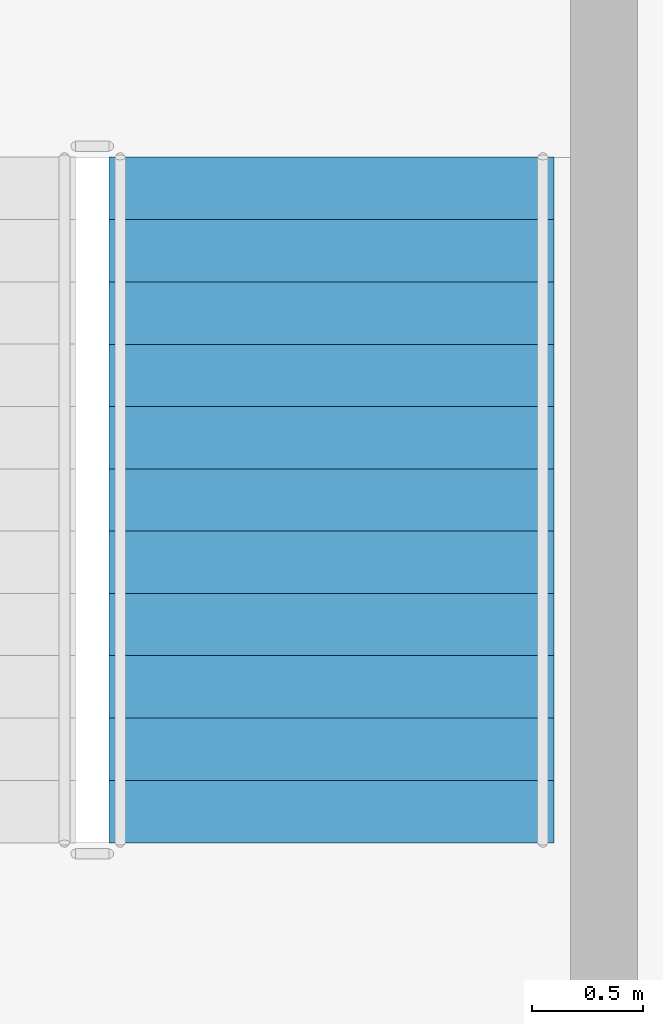
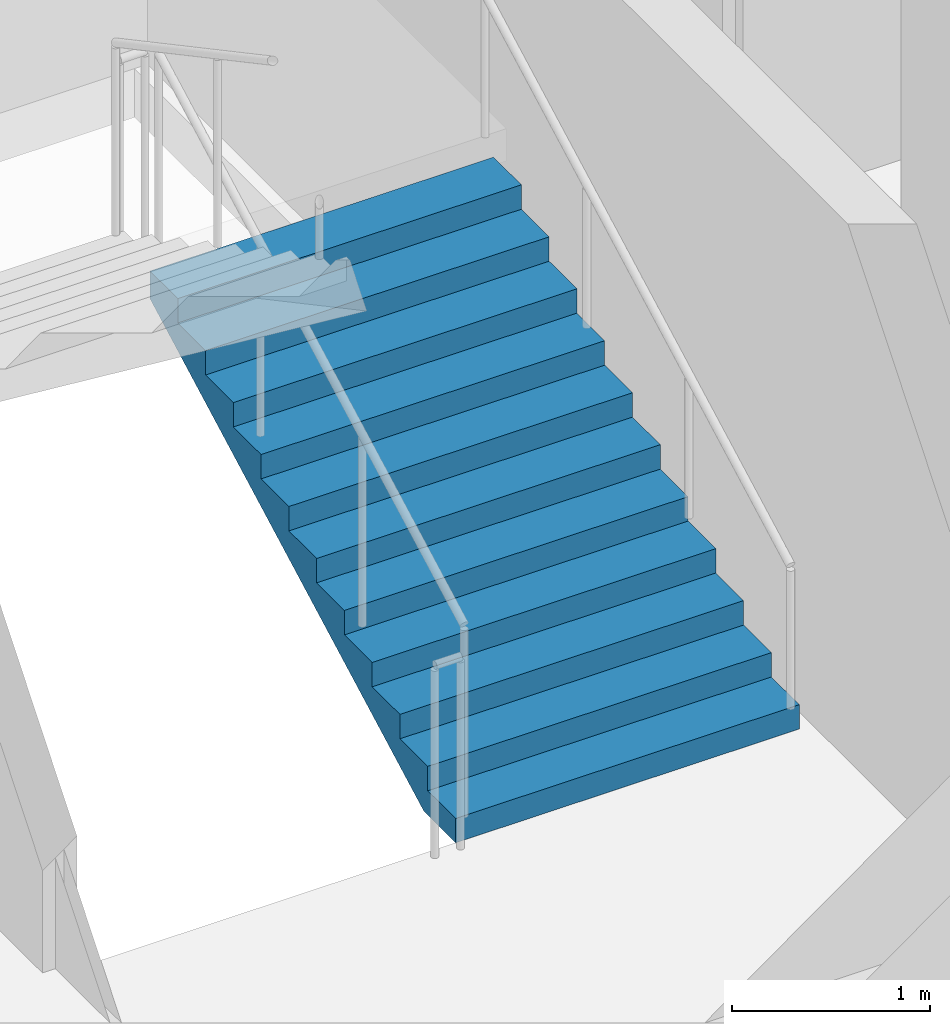
# One storey, part 12 of 19: 1 stair flight, 1 element without a shape of its own.
"""IFC4 building model written with IfcOpenShell, lengths in metres."""

from ifc_helpers import new_model, si_unit, direction, frame, origin, place, context, subcontext, project, spatial, polygons, material, type_object, element, aggregate, save


model = new_model("IFC4")

# Units and contexts
model_context = context("Model", 3, precision=1e-05, world=origin(), true_north=direction((0.0, 1.0)))
body_context = subcontext(model_context, "Body", "Model", "MODEL_VIEW")
ifc_project = project(units=[si_unit("LENGTHUNIT", "METRE"), si_unit("AREAUNIT", "SQUARE_METRE"), si_unit("VOLUMEUNIT", "CUBIC_METRE"), si_unit("PLANEANGLEUNIT", "RADIAN"), si_unit("MASSUNIT", "GRAM", prefix="KILO")], contexts=[model_context])

# Site, building, storey
site_placement = place(None, origin())
site = spatial("IfcSite", under=ifc_project, at=site_placement, CompositionType="ELEMENT")
building_placement = place(site_placement, origin())
building = spatial("IfcBuilding", under=site, at=building_placement, Name="Caravel Reach Hotel and Residences", CompositionType="ELEMENT")
storey_placement = place(building_placement, frame((0.0, 0.0, 63.60009765625)))
storey = spatial("IfcBuildingStorey", under=building, at=storey_placement, Name="L14", CompositionType="ELEMENT", Elevation=63.60009765625)

# Stair, stair flight
ifc_material_1 = material(Name="Concrete C40", Category="concrete")
stair_type = type_object("IfcStairType", Name="Core stair", PredefinedType="HALF_TURN_STAIR", material=ifc_material_1)
stair_placement = place(storey_placement, origin())
stair = element("IfcStair", 1, at=stair_placement, inside=storey, type_object=stair_type, Name="L14 Exit stair B", PredefinedType="HALF_TURN_STAIR")
ifc_material_2 = material(Name="Concrete C40", Category="concrete")
stair_flight_type = type_object("IfcStairFlightType", Name="Core stair flight", PredefinedType="STRAIGHT", material=ifc_material_2)
stair_flight_placement = place(storey_placement, frame((43.77490234375, 24.64990234375, 0.0), z_axis=(0.0, 0.0, 1.0), x_axis=(0.0, 1.0, 0.0)))
stair_flight = element("IfcStairFlight", 2, at=stair_flight_placement, type_object=stair_flight_type, Name="ST-B flight 1", NumberOfRisers=12, NumberOfTreads=11, PredefinedType="STRAIGHT", RiserHeight=0.15, TreadLength=0.28, context=body_context, shape_type="Tessellation", body=[
    polygons([(0.3174408016601862, 1.0, 0.0), (0.3174408016601862, 0.6666666666666667, 0.0), (0.3174408016601862, 0.33333333333333337, 0.0), (0.3174408016601862, 0.0, 0.0), (0.3174408016601862, -0.33333333333333326, 0.0), (0.3174408016601862, -0.6666666666666667, 0.0), (0.3174408016601862, -1.0, 0.0), (3.081, 1.0, 1.479942427682043), (3.081, 0.6666666666666667, 1.479942427682043), (3.081, 0.33333333333333337, 1.479942427682043), (3.081, 0.0, 1.479942427682043), (3.081, -0.33333333333333326, 1.479942427682043), (3.081, -0.6666666666666667, 1.479942427682043), (3.081, -1.0, 1.479942427682043), (3.081, 1.0, 1.65), (3.081, 0.6666666666666667, 1.65), (3.081, 0.33333333333333337, 1.65), (3.081, 0.0, 1.65), (3.081, -0.33333333333333326, 1.65), (3.081, -0.6666666666666667, 1.65), (3.081, -1.0, 1.65), (2.8000000000000003, 1.0, 1.65), (2.8000000000000003, 0.6666666666666667, 1.65), (2.8000000000000003, 0.33333333333333337, 1.65), (2.8000000000000003, 0.0, 1.65), (2.8000000000000003, -0.33333333333333326, 1.65), (2.8000000000000003, -0.6666666666666667, 1.65), (2.8000000000000003, -1.0, 1.65), (2.8000000000000003, 1.0, 1.5), (2.8000000000000003, 0.6666666666666667, 1.5), (2.8000000000000003, 0.33333333333333337, 1.5), (2.8000000000000003, 0.0, 1.5), (2.8000000000000003, -0.33333333333333326, 1.5), (2.8000000000000003, -0.6666666666666667, 1.5), (2.8000000000000003, -1.0, 1.5), (2.5200000000000005, 1.0, 1.5), (2.5200000000000005, 0.6666666666666667, 1.5), (2.5200000000000005, 0.33333333333333337, 1.5), (2.5200000000000005, 0.0, 1.5), (2.5200000000000005, -0.33333333333333326, 1.5), (2.5200000000000005, -0.6666666666666667, 1.5), (2.5200000000000005, -1.0, 1.5), (2.5200000000000005, 1.0, 1.3499999999999999), (2.5200000000000005, 0.6666666666666667, 1.3499999999999999), (2.5200000000000005, 0.33333333333333337, 1.3499999999999999), (2.5200000000000005, 0.0, 1.3499999999999999), (2.5200000000000005, -0.33333333333333326, 1.3499999999999999), (2.5200000000000005, -0.6666666666666667, 1.3499999999999999), (2.5200000000000005, -1.0, 1.3499999999999999), (2.24, 1.0, 1.3499999999999999), (2.24, 0.6666666666666667, 1.3499999999999999), (2.24, 0.33333333333333337, 1.3499999999999999), (2.24, 0.0, 1.3499999999999999), (2.24, -0.33333333333333326, 1.3499999999999999), (2.24, -0.6666666666666667, 1.3499999999999999), (2.24, -1.0, 1.3499999999999999), (2.24, 1.0, 1.2), (2.24, 0.6666666666666667, 1.2), (2.24, 0.33333333333333337, 1.2), (2.24, 0.0, 1.2), (2.24, -0.33333333333333326, 1.2), (2.24, -0.6666666666666667, 1.2), (2.24, -1.0, 1.2), (1.9600000000000002, 1.0, 1.2), (1.9600000000000002, 0.6666666666666667, 1.2), (1.9600000000000002, 0.33333333333333337, 1.2), (1.9600000000000002, 0.0, 1.2), (1.9600000000000002, -0.33333333333333326, 1.2), (1.9600000000000002, -0.6666666666666667, 1.2), (1.9600000000000002, -1.0, 1.2), (1.9600000000000002, 1.0, 1.05), (1.9600000000000002, 0.6666666666666667, 1.05), (1.9600000000000002, 0.33333333333333337, 1.05), (1.9600000000000002, 0.0, 1.05), (1.9600000000000002, -0.33333333333333326, 1.05), (1.9600000000000002, -0.6666666666666667, 1.05), (1.9600000000000002, -1.0, 1.05), (1.6800000000000002, 1.0, 1.05), (1.6800000000000002, 0.6666666666666667, 1.05), (1.6800000000000002, 0.33333333333333337, 1.05), (1.6800000000000002, 0.0, 1.05), (1.6800000000000002, -0.33333333333333326, 1.05), (1.6800000000000002, -0.6666666666666667, 1.05), (1.6800000000000002, -1.0, 1.05), (1.6800000000000002, 1.0, 0.8999999999999999), (1.6800000000000002, 0.6666666666666667, 0.8999999999999999), (1.6800000000000002, 0.33333333333333337, 0.8999999999999999), (1.6800000000000002, 0.0, 0.8999999999999999), (1.6800000000000002, -0.33333333333333326, 0.8999999999999999), (1.6800000000000002, -0.6666666666666667, 0.8999999999999999), (1.6800000000000002, -1.0, 0.8999999999999999), (1.4000000000000001, 1.0, 0.8999999999999999), (1.4000000000000001, 0.6666666666666667, 0.8999999999999999), (1.4000000000000001, 0.33333333333333337, 0.8999999999999999), (1.4000000000000001, 0.0, 0.8999999999999999), (1.4000000000000001, -0.33333333333333326, 0.8999999999999999), (1.4000000000000001, -0.6666666666666667, 0.8999999999999999), (1.4000000000000001, -1.0, 0.8999999999999999), (1.4000000000000001, 1.0, 0.75), (1.4000000000000001, 0.6666666666666667, 0.75), (1.4000000000000001, 0.33333333333333337, 0.75), (1.4000000000000001, 0.0, 0.75), (1.4000000000000001, -0.33333333333333326, 0.75), (1.4000000000000001, -0.6666666666666667, 0.75), (1.4000000000000001, -1.0, 0.75), (1.12, 1.0, 0.75), (1.12, 0.6666666666666667, 0.75), (1.12, 0.33333333333333337, 0.75), (1.12, 0.0, 0.75), (1.12, -0.33333333333333326, 0.75), (1.12, -0.6666666666666667, 0.75), (1.12, -1.0, 0.75), (1.12, 1.0, 0.6), (1.12, 0.6666666666666667, 0.6), (1.12, 0.33333333333333337, 0.6), (1.12, 0.0, 0.6), (1.12, -0.33333333333333326, 0.6), (1.12, -0.6666666666666667, 0.6), (1.12, -1.0, 0.6), (0.8400000000000001, 1.0, 0.6), (0.8400000000000001, 0.6666666666666667, 0.6), (0.8400000000000001, 0.33333333333333337, 0.6), (0.8400000000000001, 0.0, 0.6), (0.8400000000000001, -0.33333333333333326, 0.6), (0.8400000000000001, -0.6666666666666667, 0.6), (0.8400000000000001, -1.0, 0.6), (0.8400000000000001, 1.0, 0.44999999999999996), (0.8400000000000001, 0.6666666666666667, 0.44999999999999996), (0.8400000000000001, 0.33333333333333337, 0.44999999999999996), (0.8400000000000001, 0.0, 0.44999999999999996), (0.8400000000000001, -0.33333333333333326, 0.44999999999999996), (0.8400000000000001, -0.6666666666666667, 0.44999999999999996), (0.8400000000000001, -1.0, 0.44999999999999996), (0.56, 1.0, 0.44999999999999996), (0.56, 0.6666666666666667, 0.44999999999999996), (0.56, 0.33333333333333337, 0.44999999999999996), (0.56, 0.0, 0.44999999999999996), (0.56, -0.33333333333333326, 0.44999999999999996), (0.56, -0.6666666666666667, 0.44999999999999996), (0.56, -1.0, 0.44999999999999996), (0.56, 1.0, 0.3), (0.56, 0.6666666666666667, 0.3), (0.56, 0.33333333333333337, 0.3), (0.56, 0.0, 0.3), (0.56, -0.33333333333333326, 0.3), (0.56, -0.6666666666666667, 0.3), (0.56, -1.0, 0.3), (0.28, 1.0, 0.3), (0.28, 0.6666666666666667, 0.3), (0.28, 0.33333333333333337, 0.3), (0.28, 0.0, 0.3), (0.28, -0.33333333333333326, 0.3), (0.28, -0.6666666666666667, 0.3), (0.28, -1.0, 0.3), (0.28, 1.0, 0.15), (0.28, 0.6666666666666667, 0.15), (0.28, 0.33333333333333337, 0.15), (0.28, 0.0, 0.15), (0.28, -0.33333333333333326, 0.15), (0.28, -0.6666666666666667, 0.15), (0.28, -1.0, 0.15), (-0.001, 1.0, 0.15), (-0.001, 0.6666666666666667, 0.15), (-0.001, 0.33333333333333337, 0.15), (-0.001, 0.0, 0.15), (-0.001, -0.33333333333333326, 0.15), (-0.001, -0.6666666666666667, 0.15), (-0.001, -1.0, 0.15), (-0.001, 1.0, 0.0), (-0.001, 0.6666666666666667, 0.0), (-0.001, 0.33333333333333337, 0.0), (-0.001, 0.0, 0.0), (-0.001, -0.33333333333333326, 0.0), (-0.001, -0.6666666666666667, 0.0), (-0.001, -1.0, 0.0)], [[[169, 162, 155, 148, 141, 134, 127, 120, 113, 106, 99, 92, 85, 78, 71, 64, 57, 50, 43, 36, 29, 22, 15, 8, 1]], [[7, 14, 21, 28, 35, 42, 49, 56, 63, 70, 77, 84, 91, 98, 105, 112, 119, 126, 133, 140, 147, 154, 161, 168, 175]], [[1, 8, 9, 2]], [[2, 9, 10, 3]], [[3, 10, 11, 4]], [[4, 11, 12, 5]], [[5, 12, 13, 6]], [[6, 13, 14, 7]], [[8, 15, 16, 9]], [[9, 16, 17, 10]], [[10, 17, 18, 11]], [[11, 18, 19, 12]], [[12, 19, 20, 13]], [[13, 20, 21, 14]], [[15, 22, 23, 16]], [[16, 23, 24, 17]], [[17, 24, 25, 18]], [[18, 25, 26, 19]], [[19, 26, 27, 20]], [[20, 27, 28, 21]], [[22, 29, 30, 23]], [[23, 30, 31, 24]], [[24, 31, 32, 25]], [[25, 32, 33, 26]], [[26, 33, 34, 27]], [[27, 34, 35, 28]], [[29, 36, 37, 30]], [[30, 37, 38, 31]], [[31, 38, 39, 32]], [[32, 39, 40, 33]], [[33, 40, 41, 34]], [[34, 41, 42, 35]], [[36, 43, 44, 37]], [[37, 44, 45, 38]], [[38, 45, 46, 39]], [[39, 46, 47, 40]], [[40, 47, 48, 41]], [[41, 48, 49, 42]], [[43, 50, 51, 44]], [[44, 51, 52, 45]], [[45, 52, 53, 46]], [[46, 53, 54, 47]], [[47, 54, 55, 48]], [[48, 55, 56, 49]], [[50, 57, 58, 51]], [[51, 58, 59, 52]], [[52, 59, 60, 53]], [[53, 60, 61, 54]], [[54, 61, 62, 55]], [[55, 62, 63, 56]], [[57, 64, 65, 58]], [[58, 65, 66, 59]], [[59, 66, 67, 60]], [[60, 67, 68, 61]], [[61, 68, 69, 62]], [[62, 69, 70, 63]], [[64, 71, 72, 65]], [[65, 72, 73, 66]], [[66, 73, 74, 67]], [[67, 74, 75, 68]], [[68, 75, 76, 69]], [[69, 76, 77, 70]], [[71, 78, 79, 72]], [[72, 79, 80, 73]], [[73, 80, 81, 74]], [[74, 81, 82, 75]], [[75, 82, 83, 76]], [[76, 83, 84, 77]], [[78, 85, 86, 79]], [[79, 86, 87, 80]], [[80, 87, 88, 81]], [[81, 88, 89, 82]], [[82, 89, 90, 83]], [[83, 90, 91, 84]], [[85, 92, 93, 86]], [[86, 93, 94, 87]], [[87, 94, 95, 88]], [[88, 95, 96, 89]], [[89, 96, 97, 90]], [[90, 97, 98, 91]], [[92, 99, 100, 93]], [[93, 100, 101, 94]], [[94, 101, 102, 95]], [[95, 102, 103, 96]], [[96, 103, 104, 97]], [[97, 104, 105, 98]], [[99, 106, 107, 100]], [[100, 107, 108, 101]], [[101, 108, 109, 102]], [[102, 109, 110, 103]], [[103, 110, 111, 104]], [[104, 111, 112, 105]], [[106, 113, 114, 107]], [[107, 114, 115, 108]], [[108, 115, 116, 109]], [[109, 116, 117, 110]], [[110, 117, 118, 111]], [[111, 118, 119, 112]], [[113, 120, 121, 114]], [[114, 121, 122, 115]], [[115, 122, 123, 116]], [[116, 123, 124, 117]], [[117, 124, 125, 118]], [[118, 125, 126, 119]], [[120, 127, 128, 121]], [[121, 128, 129, 122]], [[122, 129, 130, 123]], [[123, 130, 131, 124]], [[124, 131, 132, 125]], [[125, 132, 133, 126]], [[127, 134, 135, 128]], [[128, 135, 136, 129]], [[129, 136, 137, 130]], [[130, 137, 138, 131]], [[131, 138, 139, 132]], [[132, 139, 140, 133]], [[134, 141, 142, 135]], [[135, 142, 143, 136]], [[136, 143, 144, 137]], [[137, 144, 145, 138]], [[138, 145, 146, 139]], [[139, 146, 147, 140]], [[141, 148, 149, 142]], [[142, 149, 150, 143]], [[143, 150, 151, 144]], [[144, 151, 152, 145]], [[145, 152, 153, 146]], [[146, 153, 154, 147]], [[148, 155, 156, 149]], [[149, 156, 157, 150]], [[150, 157, 158, 151]], [[151, 158, 159, 152]], [[152, 159, 160, 153]], [[153, 160, 161, 154]], [[155, 162, 163, 156]], [[156, 163, 164, 157]], [[157, 164, 165, 158]], [[158, 165, 166, 159]], [[159, 166, 167, 160]], [[160, 167, 168, 161]], [[162, 169, 170, 163]], [[163, 170, 171, 164]], [[164, 171, 172, 165]], [[165, 172, 173, 166]], [[166, 173, 174, 167]], [[167, 174, 175, 168]], [[169, 1, 2, 170]], [[170, 2, 3, 171]], [[171, 3, 4, 172]], [[172, 4, 5, 173]], [[173, 5, 6, 174]], [[174, 6, 7, 175]]], closed=True),
])
aggregate(stair, [stair_flight])

save(model, "model.ifc")
